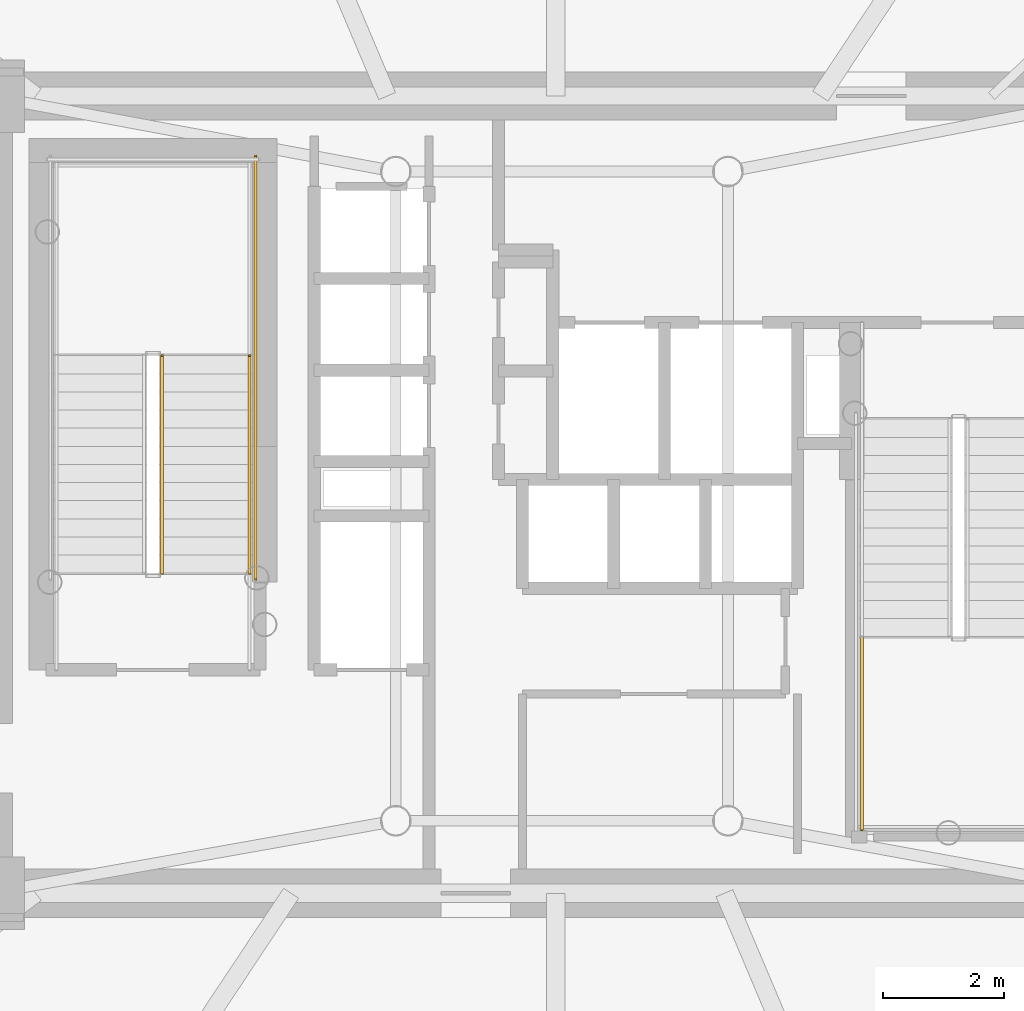
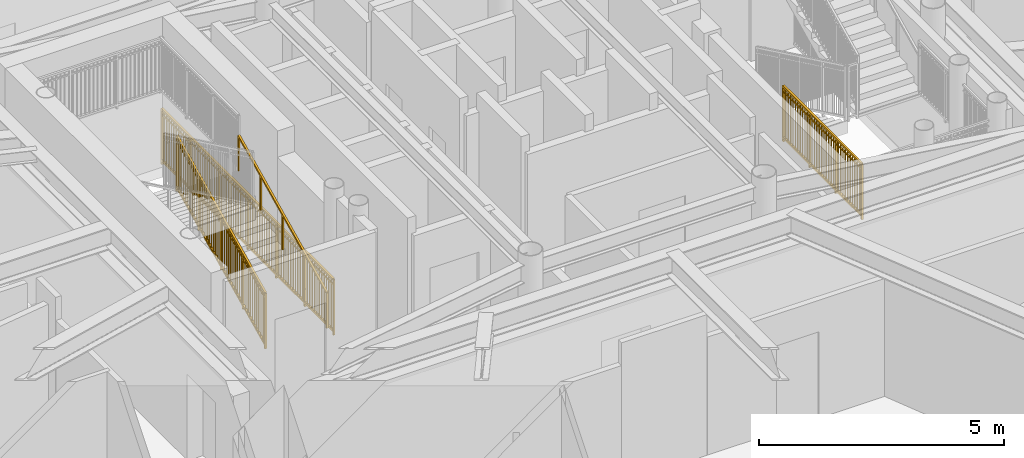
# One storey, part 13 of 18: 4 railings.
"""IFC4 building model written with IfcOpenShell, lengths in metres."""

from ifc_helpers import new_model, si_unit, direction, frame, origin, origin_2d, place, context, subcontext, project, spatial, rectangle, extrude, source, transform, mapped, material, type_object, element, save


model = new_model("IFC4")

# Units and contexts
model_context = context("Model", 3, precision=1e-05, world=origin(), true_north=direction((0.0, 1.0)))
body_context = subcontext(model_context, "Body", "Model", "MODEL_VIEW")
ifc_project = project(units=[si_unit("LENGTHUNIT", "METRE"), si_unit("AREAUNIT", "SQUARE_METRE"), si_unit("VOLUMEUNIT", "CUBIC_METRE"), si_unit("PLANEANGLEUNIT", "RADIAN"), si_unit("MASSUNIT", "GRAM", prefix="KILO")], contexts=[model_context])

# Site, building, storey
site_placement = place(None, origin())
site = spatial("IfcSite", under=ifc_project, at=site_placement, CompositionType="ELEMENT")
building_placement = place(site_placement, origin())
building = spatial("IfcBuilding", under=site, at=building_placement, Name="Linh Dai School and Residence Tower", CompositionType="ELEMENT")
storey_placement = place(building_placement, frame((0.0, 0.0, 159.89990234375)))
storey = spatial("IfcBuildingStorey", under=building, at=storey_placement, Name="L38", CompositionType="ELEMENT", Elevation=159.89990234375)

# Railings
ifc_material_1 = material(Name="Structural Steel S355JR", Category="steel")
railing_type_1 = type_object("IfcRailingType", Name="RL-ST-GUARD-1400", PredefinedType="GUARDRAIL", material=ifc_material_1)
shared_shape_1 = source(origin(), body_context, "Body", "SweptSolid", [
    extrude(rectangle(XDim=0.048095703125, YDim=0.048095703125, at=origin_2d()), frame((0.0, 0.0, 1.3759765625), z_axis=(0.0, 1.0, 0.0), x_axis=(-1.0, 0.0, 0.0)), (0.0, 0.0, 1.0), 7.0),
    extrude(rectangle(XDim=0.048095703125, YDim=0.048095703125, at=origin_2d()), frame((0.0, 0.0, 0.10009765625), z_axis=(0.0, 1.0, 0.0), x_axis=(-1.0, 0.0, 0.0)), (0.0, 0.0, 1.0), 7.0),
    extrude(rectangle(XDim=0.030029296875, YDim=0.030029296875, at=origin_2d()), frame((0.0, 0.0, 1.239990234375), z_axis=(0.0, 1.0, 0.0), x_axis=(-1.0, 0.0, 0.0)), (0.0, 0.0, 1.0), 7.0),
    extrude(rectangle(XDim=0.02001953125, YDim=0.02001953125, at=origin_2d()), frame((0.0, 0.09716796875, 0.10009765625)), (0.0, 0.0, 1.0), 1.251708984375),
    extrude(rectangle(XDim=0.02001953125, YDim=0.02001953125, at=origin_2d()), frame((0.0, 0.1943359375, 0.10009765625)), (0.0, 0.0, 1.0), 1.251708984375),
    extrude(rectangle(XDim=0.02001953125, YDim=0.02001953125, at=origin_2d()), frame((0.0, 0.291748046875, 0.10009765625)), (0.0, 0.0, 1.0), 1.251708984375),
    extrude(rectangle(XDim=0.02001953125, YDim=0.02001953125, at=origin_2d()), frame((0.0, 0.388916015625, 0.10009765625)), (0.0, 0.0, 1.0), 1.251708984375),
    extrude(rectangle(XDim=0.02001953125, YDim=0.02001953125, at=origin_2d()), frame((0.0, 0.486083984375, 0.10009765625)), (0.0, 0.0, 1.0), 1.251708984375),
    extrude(rectangle(XDim=0.02001953125, YDim=0.02001953125, at=origin_2d()), frame((0.0, 0.583251953125, 0.10009765625)), (0.0, 0.0, 1.0), 1.251708984375),
    extrude(rectangle(XDim=0.02001953125, YDim=0.02001953125, at=origin_2d()), frame((0.0, 0.6806640625, 0.10009765625)), (0.0, 0.0, 1.0), 1.251708984375),
    extrude(rectangle(XDim=0.02001953125, YDim=0.02001953125, at=origin_2d()), frame((0.0, 0.77783203125, 0.10009765625)), (0.0, 0.0, 1.0), 1.251708984375),
    extrude(rectangle(XDim=0.02001953125, YDim=0.02001953125, at=origin_2d()), frame((0.0, 0.875, 0.10009765625)), (0.0, 0.0, 1.0), 1.251708984375),
    extrude(rectangle(XDim=0.02001953125, YDim=0.02001953125, at=origin_2d()), frame((0.0, 0.97216796875, 0.10009765625)), (0.0, 0.0, 1.0), 1.251708984375),
    extrude(rectangle(XDim=0.02001953125, YDim=0.02001953125, at=origin_2d()), frame((0.0, 1.0693359375, 0.10009765625)), (0.0, 0.0, 1.0), 1.251708984375),
    extrude(rectangle(XDim=0.02001953125, YDim=0.02001953125, at=origin_2d()), frame((0.0, 1.263916015625, 0.10009765625)), (0.0, 0.0, 1.0), 1.251708984375),
    extrude(rectangle(XDim=0.02001953125, YDim=0.02001953125, at=origin_2d()), frame((0.0, 1.361083984375, 0.10009765625)), (0.0, 0.0, 1.0), 1.251708984375),
    extrude(rectangle(XDim=0.02001953125, YDim=0.02001953125, at=origin_2d()), frame((0.0, 1.458251953125, 0.10009765625)), (0.0, 0.0, 1.0), 1.251708984375),
    extrude(rectangle(XDim=0.02001953125, YDim=0.02001953125, at=origin_2d()), frame((0.0, 1.5556640625, 0.10009765625)), (0.0, 0.0, 1.0), 1.251708984375),
    extrude(rectangle(XDim=0.02001953125, YDim=0.02001953125, at=origin_2d()), frame((0.0, 1.65283203125, 0.10009765625)), (0.0, 0.0, 1.0), 1.251708984375),
    extrude(rectangle(XDim=0.02001953125, YDim=0.02001953125, at=origin_2d()), frame((0.0, 1.75, 0.10009765625)), (0.0, 0.0, 1.0), 1.251708984375),
    extrude(rectangle(XDim=0.02001953125, YDim=0.02001953125, at=origin_2d()), frame((0.0, 1.84716796875, 0.10009765625)), (0.0, 0.0, 1.0), 1.251708984375),
    extrude(rectangle(XDim=0.02001953125, YDim=0.02001953125, at=origin_2d()), frame((0.0, 1.9443359375, 0.10009765625)), (0.0, 0.0, 1.0), 1.251708984375),
    extrude(rectangle(XDim=0.02001953125, YDim=0.02001953125, at=origin_2d()), frame((0.0, 2.041748046875, 0.10009765625)), (0.0, 0.0, 1.0), 1.251708984375),
    extrude(rectangle(XDim=0.02001953125, YDim=0.02001953125, at=origin_2d()), frame((0.0, 2.138916015625, 0.10009765625)), (0.0, 0.0, 1.0), 1.251708984375),
    extrude(rectangle(XDim=0.02001953125, YDim=0.02001953125, at=origin_2d()), frame((0.0, 2.236083984375, 0.10009765625)), (0.0, 0.0, 1.0), 1.251708984375),
    extrude(rectangle(XDim=0.02001953125, YDim=0.02001953125, at=origin_2d()), frame((0.0, 2.4306640625, 0.10009765625)), (0.0, 0.0, 1.0), 1.251708984375),
    extrude(rectangle(XDim=0.02001953125, YDim=0.02001953125, at=origin_2d()), frame((0.0, 2.52783203125, 0.10009765625)), (0.0, 0.0, 1.0), 1.251708984375),
    extrude(rectangle(XDim=0.02001953125, YDim=0.02001953125, at=origin_2d()), frame((0.0, 2.625, 0.10009765625)), (0.0, 0.0, 1.0), 1.251708984375),
    extrude(rectangle(XDim=0.02001953125, YDim=0.02001953125, at=origin_2d()), frame((0.0, 2.72216796875, 0.10009765625)), (0.0, 0.0, 1.0), 1.251708984375),
    extrude(rectangle(XDim=0.02001953125, YDim=0.02001953125, at=origin_2d()), frame((0.0, 2.8193359375, 0.10009765625)), (0.0, 0.0, 1.0), 1.251708984375),
    extrude(rectangle(XDim=0.02001953125, YDim=0.02001953125, at=origin_2d()), frame((0.0, 2.916748046875, 0.10009765625)), (0.0, 0.0, 1.0), 1.251708984375),
    extrude(rectangle(XDim=0.02001953125, YDim=0.02001953125, at=origin_2d()), frame((0.0, 3.013916015625, 0.10009765625)), (0.0, 0.0, 1.0), 1.251708984375),
    extrude(rectangle(XDim=0.02001953125, YDim=0.02001953125, at=origin_2d()), frame((0.0, 3.111083984375, 0.10009765625)), (0.0, 0.0, 1.0), 1.251708984375),
    extrude(rectangle(XDim=0.02001953125, YDim=0.02001953125, at=origin_2d()), frame((0.0, 3.208251953125, 0.10009765625)), (0.0, 0.0, 1.0), 1.251708984375),
    extrude(rectangle(XDim=0.02001953125, YDim=0.02001953125, at=origin_2d()), frame((0.0, 3.3056640625, 0.10009765625)), (0.0, 0.0, 1.0), 1.251708984375),
    extrude(rectangle(XDim=0.02001953125, YDim=0.02001953125, at=origin_2d()), frame((0.0, 3.40283203125, 0.10009765625)), (0.0, 0.0, 1.0), 1.251708984375),
    extrude(rectangle(XDim=0.02001953125, YDim=0.02001953125, at=origin_2d()), frame((0.0, 3.59716796875, 0.10009765625)), (0.0, 0.0, 1.0), 1.251708984375),
    extrude(rectangle(XDim=0.02001953125, YDim=0.02001953125, at=origin_2d()), frame((0.0, 3.6943359375, 0.10009765625)), (0.0, 0.0, 1.0), 1.251708984375),
    extrude(rectangle(XDim=0.02001953125, YDim=0.02001953125, at=origin_2d()), frame((0.0, 3.791748046875, 0.10009765625)), (0.0, 0.0, 1.0), 1.251708984375),
    extrude(rectangle(XDim=0.02001953125, YDim=0.02001953125, at=origin_2d()), frame((0.0, 3.888916015625, 0.10009765625)), (0.0, 0.0, 1.0), 1.251708984375),
    extrude(rectangle(XDim=0.02001953125, YDim=0.02001953125, at=origin_2d()), frame((0.0, 3.986083984375, 0.10009765625)), (0.0, 0.0, 1.0), 1.251708984375),
    extrude(rectangle(XDim=0.02001953125, YDim=0.02001953125, at=origin_2d()), frame((0.0, 4.083251953125, 0.10009765625)), (0.0, 0.0, 1.0), 1.251708984375),
    extrude(rectangle(XDim=0.02001953125, YDim=0.02001953125, at=origin_2d()), frame((0.0, 4.1806640625, 0.10009765625)), (0.0, 0.0, 1.0), 1.251708984375),
    extrude(rectangle(XDim=0.02001953125, YDim=0.02001953125, at=origin_2d()), frame((0.0, 4.27783203125, 0.10009765625)), (0.0, 0.0, 1.0), 1.251708984375),
    extrude(rectangle(XDim=0.02001953125, YDim=0.02001953125, at=origin_2d()), frame((0.0, 4.375, 0.10009765625)), (0.0, 0.0, 1.0), 1.251708984375),
    extrude(rectangle(XDim=0.02001953125, YDim=0.02001953125, at=origin_2d()), frame((0.0, 4.47216796875, 0.10009765625)), (0.0, 0.0, 1.0), 1.251708984375),
    extrude(rectangle(XDim=0.02001953125, YDim=0.02001953125, at=origin_2d()), frame((0.0, 4.5693359375, 0.10009765625)), (0.0, 0.0, 1.0), 1.251708984375),
    extrude(rectangle(XDim=0.02001953125, YDim=0.02001953125, at=origin_2d()), frame((0.0, 4.763916015625, 0.10009765625)), (0.0, 0.0, 1.0), 1.251708984375),
    extrude(rectangle(XDim=0.02001953125, YDim=0.02001953125, at=origin_2d()), frame((0.0, 4.861083984375, 0.10009765625)), (0.0, 0.0, 1.0), 1.251708984375),
    extrude(rectangle(XDim=0.02001953125, YDim=0.02001953125, at=origin_2d()), frame((0.0, 4.958251953125, 0.10009765625)), (0.0, 0.0, 1.0), 1.251708984375),
    extrude(rectangle(XDim=0.02001953125, YDim=0.02001953125, at=origin_2d()), frame((0.0, 5.0556640625, 0.10009765625)), (0.0, 0.0, 1.0), 1.251708984375),
    extrude(rectangle(XDim=0.02001953125, YDim=0.02001953125, at=origin_2d()), frame((0.0, 5.15283203125, 0.10009765625)), (0.0, 0.0, 1.0), 1.251708984375),
    extrude(rectangle(XDim=0.02001953125, YDim=0.02001953125, at=origin_2d()), frame((0.0, 5.25, 0.10009765625)), (0.0, 0.0, 1.0), 1.251708984375),
    extrude(rectangle(XDim=0.02001953125, YDim=0.02001953125, at=origin_2d()), frame((0.0, 5.34716796875, 0.10009765625)), (0.0, 0.0, 1.0), 1.251708984375),
    extrude(rectangle(XDim=0.02001953125, YDim=0.02001953125, at=origin_2d()), frame((0.0, 5.4443359375, 0.10009765625)), (0.0, 0.0, 1.0), 1.251708984375),
    extrude(rectangle(XDim=0.02001953125, YDim=0.02001953125, at=origin_2d()), frame((0.0, 5.541748046875, 0.10009765625)), (0.0, 0.0, 1.0), 1.251708984375),
    extrude(rectangle(XDim=0.02001953125, YDim=0.02001953125, at=origin_2d()), frame((0.0, 5.638916015625, 0.10009765625)), (0.0, 0.0, 1.0), 1.251708984375),
    extrude(rectangle(XDim=0.02001953125, YDim=0.02001953125, at=origin_2d()), frame((0.0, 5.736083984375, 0.10009765625)), (0.0, 0.0, 1.0), 1.251708984375),
    extrude(rectangle(XDim=0.02001953125, YDim=0.02001953125, at=origin_2d()), frame((0.0, 5.9306640625, 0.10009765625)), (0.0, 0.0, 1.0), 1.251708984375),
    extrude(rectangle(XDim=0.02001953125, YDim=0.02001953125, at=origin_2d()), frame((0.0, 6.02783203125, 0.10009765625)), (0.0, 0.0, 1.0), 1.251708984375),
    extrude(rectangle(XDim=0.02001953125, YDim=0.02001953125, at=origin_2d()), frame((0.0, 6.125, 0.10009765625)), (0.0, 0.0, 1.0), 1.251708984375),
    extrude(rectangle(XDim=0.02001953125, YDim=0.02001953125, at=origin_2d()), frame((0.0, 6.22216796875, 0.10009765625)), (0.0, 0.0, 1.0), 1.251708984375),
    extrude(rectangle(XDim=0.02001953125, YDim=0.02001953125, at=origin_2d()), frame((0.0, 6.3193359375, 0.10009765625)), (0.0, 0.0, 1.0), 1.251708984375),
    extrude(rectangle(XDim=0.02001953125, YDim=0.02001953125, at=origin_2d()), frame((0.0, 6.416748046875, 0.10009765625)), (0.0, 0.0, 1.0), 1.251708984375),
    extrude(rectangle(XDim=0.02001953125, YDim=0.02001953125, at=origin_2d()), frame((0.0, 6.513916015625, 0.10009765625)), (0.0, 0.0, 1.0), 1.251708984375),
    extrude(rectangle(XDim=0.02001953125, YDim=0.02001953125, at=origin_2d()), frame((0.0, 6.611083984375, 0.10009765625)), (0.0, 0.0, 1.0), 1.251708984375),
    extrude(rectangle(XDim=0.02001953125, YDim=0.02001953125, at=origin_2d()), frame((0.0, 6.708251953125, 0.10009765625)), (0.0, 0.0, 1.0), 1.251708984375),
    extrude(rectangle(XDim=0.02001953125, YDim=0.02001953125, at=origin_2d()), frame((0.0, 6.8056640625, 0.10009765625)), (0.0, 0.0, 1.0), 1.251708984375),
    extrude(rectangle(XDim=0.02001953125, YDim=0.02001953125, at=origin_2d()), frame((0.0, 6.90283203125, 0.10009765625)), (0.0, 0.0, 1.0), 1.251708984375),
    extrude(rectangle(XDim=0.0419921875, YDim=0.0419921875, at=origin_2d()), origin(), (0.0, 0.0, 1.0), 1.3759765625),
    extrude(rectangle(XDim=0.0419921875, YDim=0.0419921875, at=origin_2d()), frame((0.0, 1.166748046875, 0.0)), (0.0, 0.0, 1.0), 1.3759765625),
    extrude(rectangle(XDim=0.0419921875, YDim=0.0419921875, at=origin_2d()), frame((0.0, 2.333251953125, 0.0)), (0.0, 0.0, 1.0), 1.3759765625),
    extrude(rectangle(XDim=0.0419921875, YDim=0.0419921875, at=origin_2d()), frame((0.0, 3.5, 0.0)), (0.0, 0.0, 1.0), 1.3759765625),
    extrude(rectangle(XDim=0.0419921875, YDim=0.0419921875, at=origin_2d()), frame((0.0, 4.666748046875, 0.0)), (0.0, 0.0, 1.0), 1.3759765625),
    extrude(rectangle(XDim=0.0419921875, YDim=0.0419921875, at=origin_2d()), frame((0.0, 5.833251953125, 0.0)), (0.0, 0.0, 1.0), 1.3759765625),
    extrude(rectangle(XDim=0.0419921875, YDim=0.0419921875, at=origin_2d()), frame((0.0, 7.0, 0.0)), (0.0, 0.0, 1.0), 1.3759765625),
])
railing_1_placement = place(storey_placement, frame((31.030029296875, 25.60009765625, 0.0)))
element("IfcRailing", 1, at=railing_1_placement, inside=storey, type_object=railing_type_1, Name="L38 ST1 stair guard 10", PredefinedType="GUARDRAIL", context=body_context, shape_type="MappedRepresentation", body=[
    mapped(shared_shape_1, transform((0.0, 0.0, 0.0), x_axis=(1.0, 0.0, 0.0), y_axis=(0.0, 1.0, 0.0), z_axis=(0.0, 0.0, 1.0), scale=1.0)),
])
shared_shape_2 = source(origin(), body_context, "Body", "SweptSolid", [
    extrude(rectangle(XDim=0.048095703125, YDim=0.048095703125, at=origin_2d()), frame((0.0, 0.0, 1.3759765625), z_axis=(0.0, 0.901262522062, 0.433273431364), x_axis=(-1.0, 0.0, 0.0)), (0.0, 0.0, 1.0), 3.994384765625),
    extrude(rectangle(XDim=0.048095703125, YDim=0.048095703125, at=origin_2d()), frame((0.0, 0.0, 0.10009765625), z_axis=(0.0, 0.901262522062, 0.433273431364), x_axis=(-1.0, 0.0, 0.0)), (0.0, 0.0, 1.0), 3.994384765625),
    extrude(rectangle(XDim=0.030029296875, YDim=0.030029296875, at=origin_2d()), frame((0.0, 0.0, 1.239990234375), z_axis=(0.0, 0.901262522062, 0.433273431364), x_axis=(-1.0, 0.0, 0.0)), (0.0, 0.0, 1.0), 3.994384765625),
    extrude(rectangle(XDim=0.02001953125, YDim=0.02001953125, at=origin_2d()), frame((0.0, 0.087890625, 0.142333984375)), (0.0, 0.0, 1.0), 1.251708984375),
    extrude(rectangle(XDim=0.02001953125, YDim=0.02001953125, at=origin_2d()), frame((0.0, 0.175537109375, 0.1845703125)), (0.0, 0.0, 1.0), 1.251708984375),
    extrude(rectangle(XDim=0.02001953125, YDim=0.02001953125, at=origin_2d()), frame((0.0, 0.263427734375, 0.226806640625)), (0.0, 0.0, 1.0), 1.251708984375),
    extrude(rectangle(XDim=0.02001953125, YDim=0.02001953125, at=origin_2d()), frame((0.0, 0.351318359375, 0.26904296875)), (0.0, 0.0, 1.0), 1.251708984375),
    extrude(rectangle(XDim=0.02001953125, YDim=0.02001953125, at=origin_2d()), frame((0.0, 0.43896484375, 0.311279296875)), (0.0, 0.0, 1.0), 1.251708984375),
    extrude(rectangle(XDim=0.02001953125, YDim=0.02001953125, at=origin_2d()), frame((0.0, 0.52685546875, 0.353271484375)), (0.0, 0.0, 1.0), 1.251708984375),
    extrude(rectangle(XDim=0.02001953125, YDim=0.02001953125, at=origin_2d()), frame((0.0, 0.61474609375, 0.3955078125)), (0.0, 0.0, 1.0), 1.251708984375),
    extrude(rectangle(XDim=0.02001953125, YDim=0.02001953125, at=origin_2d()), frame((0.0, 0.702392578125, 0.437744140625)), (0.0, 0.0, 1.0), 1.251708984375),
    extrude(rectangle(XDim=0.02001953125, YDim=0.02001953125, at=origin_2d()), frame((0.0, 0.790283203125, 0.47998046875)), (0.0, 0.0, 1.0), 1.251708984375),
    extrude(rectangle(XDim=0.02001953125, YDim=0.02001953125, at=origin_2d()), frame((0.0, 0.9658203125, 0.564453125)), (0.0, 0.0, 1.0), 1.251708984375),
    extrude(rectangle(XDim=0.02001953125, YDim=0.02001953125, at=origin_2d()), frame((0.0, 1.0537109375, 0.606689453125)), (0.0, 0.0, 1.0), 1.251708984375),
    extrude(rectangle(XDim=0.02001953125, YDim=0.02001953125, at=origin_2d()), frame((0.0, 1.1416015625, 0.64892578125)), (0.0, 0.0, 1.0), 1.251708984375),
    extrude(rectangle(XDim=0.02001953125, YDim=0.02001953125, at=origin_2d()), frame((0.0, 1.229248046875, 0.691162109375)), (0.0, 0.0, 1.0), 1.251708984375),
    extrude(rectangle(XDim=0.02001953125, YDim=0.02001953125, at=origin_2d()), frame((0.0, 1.317138671875, 0.7333984375)), (0.0, 0.0, 1.0), 1.251708984375),
    extrude(rectangle(XDim=0.02001953125, YDim=0.02001953125, at=origin_2d()), frame((0.0, 1.405029296875, 0.775390625)), (0.0, 0.0, 1.0), 1.251708984375),
    extrude(rectangle(XDim=0.02001953125, YDim=0.02001953125, at=origin_2d()), frame((0.0, 1.49267578125, 0.817626953125)), (0.0, 0.0, 1.0), 1.251708984375),
    extrude(rectangle(XDim=0.02001953125, YDim=0.02001953125, at=origin_2d()), frame((0.0, 1.58056640625, 0.85986328125)), (0.0, 0.0, 1.0), 1.251708984375),
    extrude(rectangle(XDim=0.02001953125, YDim=0.02001953125, at=origin_2d()), frame((0.0, 1.66845703125, 0.902099609375)), (0.0, 0.0, 1.0), 1.251708984375),
    extrude(rectangle(XDim=0.02001953125, YDim=0.02001953125, at=origin_2d()), frame((0.0, 1.756103515625, 0.9443359375)), (0.0, 0.0, 1.0), 1.251708984375),
    extrude(rectangle(XDim=0.02001953125, YDim=0.02001953125, at=origin_2d()), frame((0.0, 1.843994140625, 0.986572265625)), (0.0, 0.0, 1.0), 1.251708984375),
    extrude(rectangle(XDim=0.02001953125, YDim=0.02001953125, at=origin_2d()), frame((0.0, 1.931640625, 1.02880859375)), (0.0, 0.0, 1.0), 1.251708984375),
    extrude(rectangle(XDim=0.02001953125, YDim=0.02001953125, at=origin_2d()), frame((0.0, 2.01953125, 1.071044921875)), (0.0, 0.0, 1.0), 1.251708984375),
    extrude(rectangle(XDim=0.02001953125, YDim=0.02001953125, at=origin_2d()), frame((0.0, 2.107421875, 1.11328125)), (0.0, 0.0, 1.0), 1.251708984375),
    extrude(rectangle(XDim=0.02001953125, YDim=0.02001953125, at=origin_2d()), frame((0.0, 2.195068359375, 1.155517578125)), (0.0, 0.0, 1.0), 1.251708984375),
    extrude(rectangle(XDim=0.02001953125, YDim=0.02001953125, at=origin_2d()), frame((0.0, 2.282958984375, 1.197509765625)), (0.0, 0.0, 1.0), 1.251708984375),
    extrude(rectangle(XDim=0.02001953125, YDim=0.02001953125, at=origin_2d()), frame((0.0, 2.370849609375, 1.23974609375)), (0.0, 0.0, 1.0), 1.251708984375),
    extrude(rectangle(XDim=0.02001953125, YDim=0.02001953125, at=origin_2d()), frame((0.0, 2.45849609375, 1.281982421875)), (0.0, 0.0, 1.0), 1.251708984375),
    extrude(rectangle(XDim=0.02001953125, YDim=0.02001953125, at=origin_2d()), frame((0.0, 2.54638671875, 1.32421875)), (0.0, 0.0, 1.0), 1.251708984375),
    extrude(rectangle(XDim=0.02001953125, YDim=0.02001953125, at=origin_2d()), frame((0.0, 2.63427734375, 1.366455078125)), (0.0, 0.0, 1.0), 1.251708984375),
    extrude(rectangle(XDim=0.02001953125, YDim=0.02001953125, at=origin_2d()), frame((0.0, 2.809814453125, 1.450927734375)), (0.0, 0.0, 1.0), 1.251708984375),
    extrude(rectangle(XDim=0.02001953125, YDim=0.02001953125, at=origin_2d()), frame((0.0, 2.897705078125, 1.4931640625)), (0.0, 0.0, 1.0), 1.251708984375),
    extrude(rectangle(XDim=0.02001953125, YDim=0.02001953125, at=origin_2d()), frame((0.0, 2.9853515625, 1.535400390625)), (0.0, 0.0, 1.0), 1.251708984375),
    extrude(rectangle(XDim=0.02001953125, YDim=0.02001953125, at=origin_2d()), frame((0.0, 3.0732421875, 1.57763671875)), (0.0, 0.0, 1.0), 1.251708984375),
    extrude(rectangle(XDim=0.02001953125, YDim=0.02001953125, at=origin_2d()), frame((0.0, 3.1611328125, 1.61962890625)), (0.0, 0.0, 1.0), 1.251708984375),
    extrude(rectangle(XDim=0.02001953125, YDim=0.02001953125, at=origin_2d()), frame((0.0, 3.248779296875, 1.661865234375)), (0.0, 0.0, 1.0), 1.251708984375),
    extrude(rectangle(XDim=0.02001953125, YDim=0.02001953125, at=origin_2d()), frame((0.0, 3.336669921875, 1.7041015625)), (0.0, 0.0, 1.0), 1.251708984375),
    extrude(rectangle(XDim=0.02001953125, YDim=0.02001953125, at=origin_2d()), frame((0.0, 3.424560546875, 1.746337890625)), (0.0, 0.0, 1.0), 1.251708984375),
    extrude(rectangle(XDim=0.02001953125, YDim=0.02001953125, at=origin_2d()), frame((0.0, 3.51220703125, 1.78857421875)), (0.0, 0.0, 1.0), 1.251708984375),
    extrude(rectangle(XDim=0.0419921875, YDim=0.0419921875, at=origin_2d()), origin(), (0.0, 0.0, 1.0), 1.3759765625),
    extrude(rectangle(XDim=0.0419921875, YDim=0.0419921875, at=origin_2d()), frame((0.0, 0.89990234375, 0.4326171875)), (0.0, 0.0, 1.0), 1.3759765625),
    extrude(rectangle(XDim=0.0419921875, YDim=0.0419921875, at=origin_2d()), frame((0.0, 1.800048828125, 0.865234375)), (0.0, 0.0, 1.0), 1.3759765625),
    extrude(rectangle(XDim=0.0419921875, YDim=0.0419921875, at=origin_2d()), frame((0.0, 2.7001953125, 1.298095703125)), (0.0, 0.0, 1.0), 1.3759765625),
    extrude(rectangle(XDim=0.0419921875, YDim=0.0419921875, at=origin_2d()), frame((0.0, 3.60009765625, 1.730712890625)), (0.0, 0.0, 1.0), 1.3759765625),
])
railing_2_placement = place(storey_placement, frame((29.47998046875, 25.699951171875, 0.144287109375)))
element("IfcRailing", 2, at=railing_2_placement, inside=storey, type_object=railing_type_1, Name="L38 ST1 stair guard 1", PredefinedType="GUARDRAIL", context=body_context, shape_type="MappedRepresentation", body=[
    mapped(shared_shape_2, transform((0.0, 0.0, 0.0), x_axis=(1.0, 0.0, 0.0), y_axis=(0.0, 1.0, 0.0), z_axis=(0.0, 0.0, 1.0), scale=1.0)),
])
ifc_material_2 = material(Name="Brushed Stainless Steel Handrail", Category="steel")
railing_type_2 = type_object("IfcRailingType", Name="RL-ST-HANDRAIL-900", PredefinedType="HANDRAIL", material=ifc_material_2)
shared_shape_3 = source(origin(), body_context, "Body", "SweptSolid", [
    extrude(rectangle(XDim=0.048095703125, YDim=0.048095703125, at=origin_2d()), frame((0.0, 0.0, 0.8759765625), z_axis=(0.0, 0.901262522062, 0.433273431364), x_axis=(-1.0, 0.0, 0.0)), (0.0, 0.0, 1.0), 3.994384765625),
    extrude(rectangle(XDim=0.0419921875, YDim=0.0419921875, at=origin_2d()), origin(), (0.0, 0.0, 1.0), 0.8759765625),
    extrude(rectangle(XDim=0.0419921875, YDim=0.0419921875, at=origin_2d()), frame((0.0, 0.89990234375, 0.4326171875)), (0.0, 0.0, 1.0), 0.8759765625),
    extrude(rectangle(XDim=0.0419921875, YDim=0.0419921875, at=origin_2d()), frame((0.0, 1.800048828125, 0.865234375)), (0.0, 0.0, 1.0), 0.8759765625),
    extrude(rectangle(XDim=0.0419921875, YDim=0.0419921875, at=origin_2d()), frame((0.0, 2.7001953125, 1.298095703125)), (0.0, 0.0, 1.0), 0.8759765625),
    extrude(rectangle(XDim=0.0419921875, YDim=0.0419921875, at=origin_2d()), frame((0.0, 3.60009765625, 1.730712890625)), (0.0, 0.0, 1.0), 0.8759765625),
])
railing_3_placement = place(storey_placement, frame((30.929931640625, 25.699951171875, 0.144287109375)))
element("IfcRailing", 3, at=railing_3_placement, inside=storey, type_object=railing_type_2, Name="L38 ST1 stair handrail 1", PredefinedType="HANDRAIL", context=body_context, shape_type="MappedRepresentation", body=[
    mapped(shared_shape_3, transform((0.0, 0.0, 0.0), x_axis=(1.0, 0.0, 0.0), y_axis=(0.0, 1.0, 0.0), z_axis=(0.0, 0.0, 1.0), scale=1.0)),
])
shared_shape_4 = source(origin(), body_context, "Body", "SweptSolid", [
    extrude(rectangle(XDim=0.048095703125, YDim=0.048095703125, at=origin_2d()), frame((0.0, 0.0, 1.3759765625), z_axis=(0.0, -1.0, 0.0), x_axis=(1.0, 0.0, 0.0)), (0.0, 0.0, 1.0), 3.199951171875),
    extrude(rectangle(XDim=0.048095703125, YDim=0.048095703125, at=origin_2d()), frame((0.0, 0.0, 0.10009765625), z_axis=(0.0, -1.0, 0.0), x_axis=(1.0, 0.0, 0.0)), (0.0, 0.0, 1.0), 3.199951171875),
    extrude(rectangle(XDim=0.030029296875, YDim=0.030029296875, at=origin_2d()), frame((0.0, 0.0, 1.239990234375), z_axis=(0.0, -1.0, 0.0), x_axis=(1.0, 0.0, 0.0)), (0.0, 0.0, 1.0), 3.199951171875),
    extrude(rectangle(XDim=0.02001953125, YDim=0.02001953125, at=origin_2d()), frame((0.0, -0.096923828125, 0.10009765625)), (0.0, 0.0, 1.0), 1.251708984375),
    extrude(rectangle(XDim=0.02001953125, YDim=0.02001953125, at=origin_2d()), frame((0.0, -0.19384765625, 0.10009765625)), (0.0, 0.0, 1.0), 1.251708984375),
    extrude(rectangle(XDim=0.02001953125, YDim=0.02001953125, at=origin_2d()), frame((0.0, -0.291015625, 0.10009765625)), (0.0, 0.0, 1.0), 1.251708984375),
    extrude(rectangle(XDim=0.02001953125, YDim=0.02001953125, at=origin_2d()), frame((0.0, -0.387939453125, 0.10009765625)), (0.0, 0.0, 1.0), 1.251708984375),
    extrude(rectangle(XDim=0.02001953125, YDim=0.02001953125, at=origin_2d()), frame((0.0, -0.48486328125, 0.10009765625)), (0.0, 0.0, 1.0), 1.251708984375),
    extrude(rectangle(XDim=0.02001953125, YDim=0.02001953125, at=origin_2d()), frame((0.0, -0.581787109375, 0.10009765625)), (0.0, 0.0, 1.0), 1.251708984375),
    extrude(rectangle(XDim=0.02001953125, YDim=0.02001953125, at=origin_2d()), frame((0.0, -0.6787109375, 0.10009765625)), (0.0, 0.0, 1.0), 1.251708984375),
    extrude(rectangle(XDim=0.02001953125, YDim=0.02001953125, at=origin_2d()), frame((0.0, -0.775634765625, 0.10009765625)), (0.0, 0.0, 1.0), 1.251708984375),
    extrude(rectangle(XDim=0.02001953125, YDim=0.02001953125, at=origin_2d()), frame((0.0, -0.872802734375, 0.10009765625)), (0.0, 0.0, 1.0), 1.251708984375),
    extrude(rectangle(XDim=0.02001953125, YDim=0.02001953125, at=origin_2d()), frame((0.0, -0.9697265625, 0.10009765625)), (0.0, 0.0, 1.0), 1.251708984375),
    extrude(rectangle(XDim=0.02001953125, YDim=0.02001953125, at=origin_2d()), frame((0.0, -1.16357421875, 0.10009765625)), (0.0, 0.0, 1.0), 1.251708984375),
    extrude(rectangle(XDim=0.02001953125, YDim=0.02001953125, at=origin_2d()), frame((0.0, -1.260498046875, 0.10009765625)), (0.0, 0.0, 1.0), 1.251708984375),
    extrude(rectangle(XDim=0.02001953125, YDim=0.02001953125, at=origin_2d()), frame((0.0, -1.357666015625, 0.10009765625)), (0.0, 0.0, 1.0), 1.251708984375),
    extrude(rectangle(XDim=0.02001953125, YDim=0.02001953125, at=origin_2d()), frame((0.0, -1.45458984375, 0.10009765625)), (0.0, 0.0, 1.0), 1.251708984375),
    extrude(rectangle(XDim=0.02001953125, YDim=0.02001953125, at=origin_2d()), frame((0.0, -1.551513671875, 0.10009765625)), (0.0, 0.0, 1.0), 1.251708984375),
    extrude(rectangle(XDim=0.02001953125, YDim=0.02001953125, at=origin_2d()), frame((0.0, -1.6484375, 0.10009765625)), (0.0, 0.0, 1.0), 1.251708984375),
    extrude(rectangle(XDim=0.02001953125, YDim=0.02001953125, at=origin_2d()), frame((0.0, -1.745361328125, 0.10009765625)), (0.0, 0.0, 1.0), 1.251708984375),
    extrude(rectangle(XDim=0.02001953125, YDim=0.02001953125, at=origin_2d()), frame((0.0, -1.84228515625, 0.10009765625)), (0.0, 0.0, 1.0), 1.251708984375),
    extrude(rectangle(XDim=0.02001953125, YDim=0.02001953125, at=origin_2d()), frame((0.0, -1.939453125, 0.10009765625)), (0.0, 0.0, 1.0), 1.251708984375),
    extrude(rectangle(XDim=0.02001953125, YDim=0.02001953125, at=origin_2d()), frame((0.0, -2.036376953125, 0.10009765625)), (0.0, 0.0, 1.0), 1.251708984375),
    extrude(rectangle(XDim=0.02001953125, YDim=0.02001953125, at=origin_2d()), frame((0.0, -2.230224609375, 0.10009765625)), (0.0, 0.0, 1.0), 1.251708984375),
    extrude(rectangle(XDim=0.02001953125, YDim=0.02001953125, at=origin_2d()), frame((0.0, -2.3271484375, 0.10009765625)), (0.0, 0.0, 1.0), 1.251708984375),
    extrude(rectangle(XDim=0.02001953125, YDim=0.02001953125, at=origin_2d()), frame((0.0, -2.42431640625, 0.10009765625)), (0.0, 0.0, 1.0), 1.251708984375),
    extrude(rectangle(XDim=0.02001953125, YDim=0.02001953125, at=origin_2d()), frame((0.0, -2.521240234375, 0.10009765625)), (0.0, 0.0, 1.0), 1.251708984375),
    extrude(rectangle(XDim=0.02001953125, YDim=0.02001953125, at=origin_2d()), frame((0.0, -2.6181640625, 0.10009765625)), (0.0, 0.0, 1.0), 1.251708984375),
    extrude(rectangle(XDim=0.02001953125, YDim=0.02001953125, at=origin_2d()), frame((0.0, -2.715087890625, 0.10009765625)), (0.0, 0.0, 1.0), 1.251708984375),
    extrude(rectangle(XDim=0.02001953125, YDim=0.02001953125, at=origin_2d()), frame((0.0, -2.81201171875, 0.10009765625)), (0.0, 0.0, 1.0), 1.251708984375),
    extrude(rectangle(XDim=0.02001953125, YDim=0.02001953125, at=origin_2d()), frame((0.0, -2.908935546875, 0.10009765625)), (0.0, 0.0, 1.0), 1.251708984375),
    extrude(rectangle(XDim=0.02001953125, YDim=0.02001953125, at=origin_2d()), frame((0.0, -3.006103515625, 0.10009765625)), (0.0, 0.0, 1.0), 1.251708984375),
    extrude(rectangle(XDim=0.02001953125, YDim=0.02001953125, at=origin_2d()), frame((0.0, -3.10302734375, 0.10009765625)), (0.0, 0.0, 1.0), 1.251708984375),
    extrude(rectangle(XDim=0.0419921875, YDim=0.0419921875, at=origin_2d()), origin(), (0.0, 0.0, 1.0), 1.3759765625),
    extrude(rectangle(XDim=0.0419921875, YDim=0.0419921875, at=origin_2d()), frame((0.0, -1.066650390625, 0.0)), (0.0, 0.0, 1.0), 1.3759765625),
    extrude(rectangle(XDim=0.0419921875, YDim=0.0419921875, at=origin_2d()), frame((0.0, -2.13330078125, 0.0)), (0.0, 0.0, 1.0), 1.3759765625),
    extrude(rectangle(XDim=0.0419921875, YDim=0.0419921875, at=origin_2d()), frame((0.0, -3.199951171875, 0.0)), (0.0, 0.0, 1.0), 1.3759765625),
])
railing_4_placement = place(storey_placement, frame((41.070068359375, 24.64990234375, 1.875)))
element("IfcRailing", 4, at=railing_4_placement, inside=storey, type_object=railing_type_1, Name="L38 ST2 stair guard 3", PredefinedType="GUARDRAIL", context=body_context, shape_type="MappedRepresentation", body=[
    mapped(shared_shape_4, transform((0.0, 0.0, 0.0), x_axis=(1.0, 0.0, 0.0), y_axis=(0.0, 1.0, 0.0), z_axis=(0.0, 0.0, 1.0), scale=1.0)),
])

save(model, "model.ifc")
